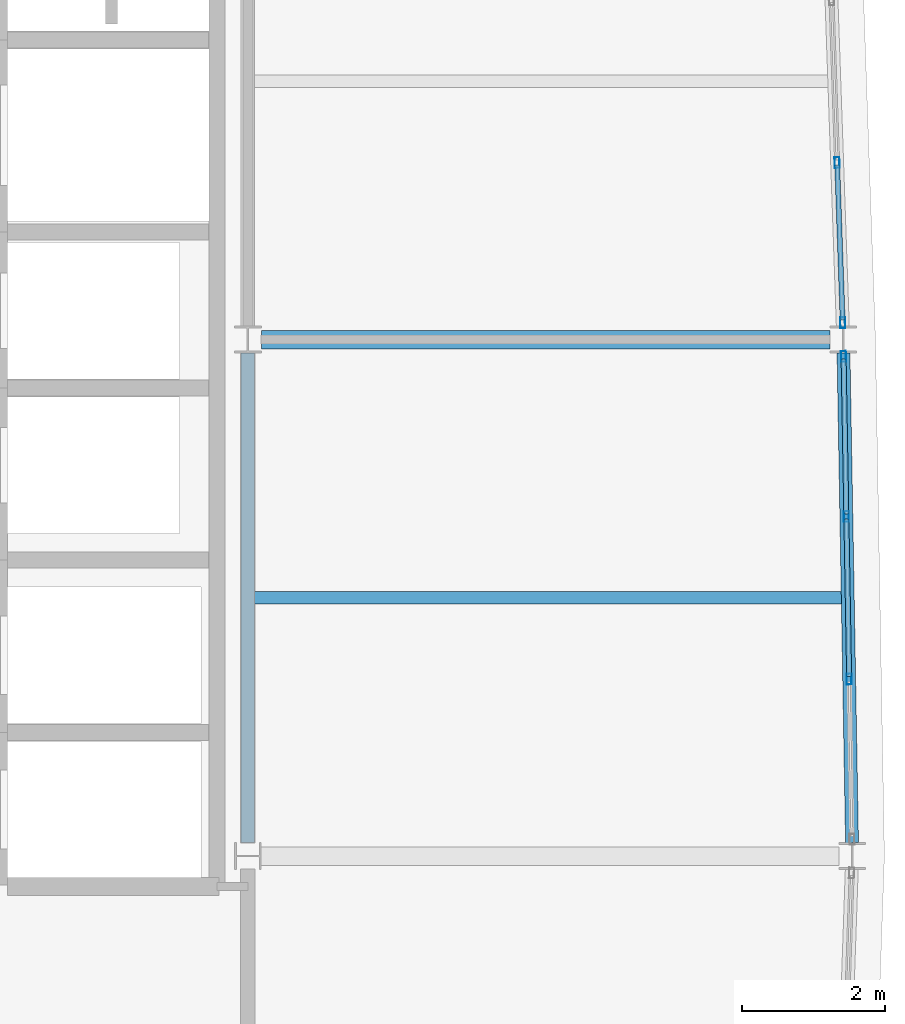
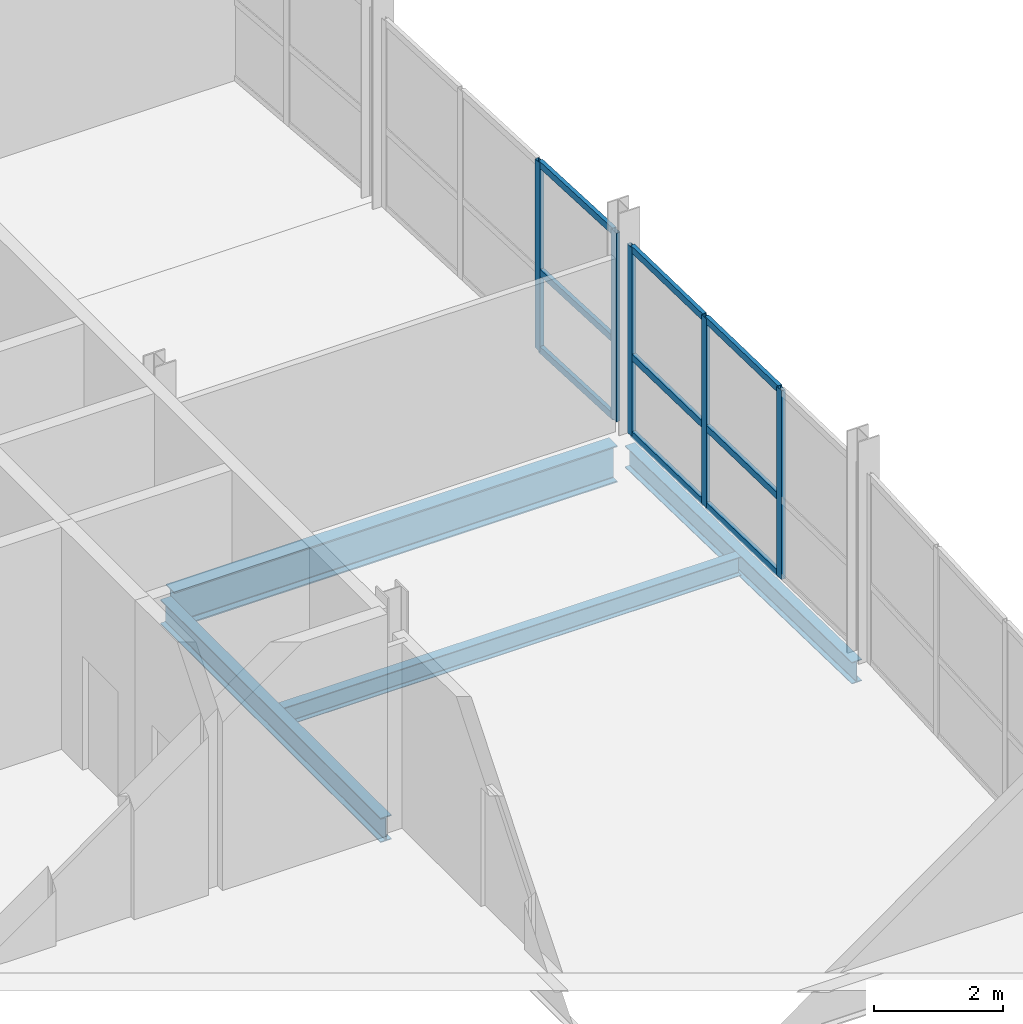
# One storey, part 6 of 20: 14 members, 4 beams, 2 elements without a shape of their own.
"""IFC4 building model written with IfcOpenShell, lengths in metres."""

from ifc_helpers import new_model, si_unit, direction, frame, origin, origin_2d, place, context, subcontext, project, spatial, hollow_rectangle, i_section, extrude, material, layer, layer_set, material_profile, profile_set, type_object, element, aggregate, save


model = new_model("IFC4")

# Units and contexts
model_context = context("Model", 3, precision=1e-05, world=origin(), true_north=direction((0.0, 1.0)))
body_context = subcontext(model_context, "Body", "Model", "MODEL_VIEW")
ifc_project = project(units=[si_unit("LENGTHUNIT", "METRE"), si_unit("AREAUNIT", "SQUARE_METRE"), si_unit("VOLUMEUNIT", "CUBIC_METRE"), si_unit("PLANEANGLEUNIT", "RADIAN"), si_unit("MASSUNIT", "GRAM", prefix="KILO")], contexts=[model_context])

# Site, building, storey
site_placement = place(None, origin())
site = spatial("IfcSite", under=ifc_project, at=site_placement, CompositionType="ELEMENT")
building_placement = place(site_placement, origin())
building = spatial("IfcBuilding", under=site, at=building_placement, Name="Quillay Park Conservatory", CompositionType="ELEMENT")
storey_placement = place(building_placement, frame((0.0, 0.0, 26.699951171875)))
storey = spatial("IfcBuildingStorey", under=building, at=storey_placement, Name="L06", CompositionType="ELEMENT", Elevation=26.699951171875)

# Beam
ifc_material_1 = material(Name="Steel ASTM A992 Grade 50", Category="steel")
ifc_material_profile_1 = material_profile(ifc_material_1, i_section(OverallWidth=0.172119140625, OverallDepth=0.35791015625, WebThickness=0.0078125, FlangeThickness=0.01318359375, FilletRadius=0.010986328125, at=origin_2d()), Name="W360x57")
ifc_profile_set_1 = profile_set([ifc_material_profile_1], Name="Steel ASTM A992 Grade 50")
beam_type_1 = type_object("IfcBeamType", Name="COMPOSITE FLOOR JOIST W360 X57", PredefinedType="JOIST", material=ifc_profile_set_1)
beam_1_placement = place(storey_placement, frame((19.845947265625, 88.800048828125, -0.39892578125), z_axis=(1.0, 0.0, 0.0), x_axis=(0.0, 1.0, 0.0)))
element("IfcBeam", 1, at=beam_1_placement, inside=storey, type_object=beam_type_1, Name="L06 beam BM-J-0495", PredefinedType="JOIST", context=body_context, shape_type="SweptSolid", body=[
    extrude(i_section(OverallWidth=0.172119140625, OverallDepth=0.35791015625, WebThickness=0.0078125, FlangeThickness=0.01318359375, FilletRadius=0.010986328125, at=origin_2d()), origin(), (0.0, 0.0, 1.0), 8.176513671875),
])

# Curtain wall, members
ifc_material_2 = material(Name="Thermally Broken Anodised Aluminium 6063-T6", Category="aluminium")
ifc_layer = layer(ifc_material_2, 0.199951171875)
ifc_layer_set = layer_set([ifc_layer], Name="UNITISED CURTAIN WALL HERBARIUM (Thermally Broken Anodised Aluminium 6063-T6)")
curtain_wall_type = type_object("IfcCurtainWallType", Name="UNITISED CURTAIN WALL HERBARIUM", PredefinedType="USERDEFINED", material=ifc_layer_set)
curtain_wall_1_placement = place(storey_placement, origin())
curtain_wall_1 = element("IfcCurtainWall", 2, at=curtain_wall_1_placement, inside=storey, type_object=curtain_wall_type, Name="L06 Unitised Curtain Wall 061", ObjectType="UNITISED CURTAIN WALL", PredefinedType="USERDEFINED")
ifc_material_3 = material(Name="Thermally Broken Anodised Aluminium 6063-T6", Category="aluminium")
ifc_material_profile_2 = material_profile(ifc_material_3, hollow_rectangle(XDim=0.070068359375, YDim=0.14990234375, WallThickness=0.00341796875, at=origin_2d()), Name="AL70x150x3.5")
ifc_profile_set_2 = profile_set([ifc_material_profile_2], Name="Thermally Broken Anodised Aluminium 6063-T6")
member_type_1 = type_object("IfcMemberType", Name="CURTAIN WALL MULLION 70 X150", PredefinedType="MULLION", material=ifc_profile_set_2)
member_1_placement = place(storey_placement, frame((28.05419921875, 92.1650390625, 0.0), z_axis=(0.0, 0.0, 1.0), x_axis=(0.999849471711, 0.017350329071, 0.0)))
member_1 = element("IfcMember", 3, at=member_1_placement, type_object=member_type_1, Name="CW-T2 mullion 1", PredefinedType="MULLION", context=body_context, shape_type="SweptSolid", body=[
    extrude(hollow_rectangle(XDim=0.070068359375, YDim=0.14990234375, WallThickness=0.00341796875, at=origin_2d()), origin(), (0.0, 0.0, 1.0), 3.569091796875),
])
member_2_placement = place(storey_placement, frame((28.0927734375, 89.933349609375, 0.0), z_axis=(0.0, 0.0, 1.0), x_axis=(0.999849471711, 0.017350329071, 0.0)))
member_2 = element("IfcMember", 4, at=member_2_placement, type_object=member_type_1, Name="CW-T2 mullion 2", PredefinedType="MULLION", context=body_context, shape_type="SweptSolid", body=[
    extrude(hollow_rectangle(XDim=0.070068359375, YDim=0.14990234375, WallThickness=0.00341796875, at=origin_2d()), origin(), (0.0, 0.0, 1.0), 3.569091796875),
])
member_3_placement = place(storey_placement, frame((28.132080078125, 87.666748046875, 0.0), z_axis=(0.0, 0.0, 1.0), x_axis=(0.999849471711, 0.017350329071, 0.0)))
member_3 = element("IfcMember", 5, at=member_3_placement, type_object=member_type_1, Name="CW-T2 mullion 3", PredefinedType="MULLION", context=body_context, shape_type="SweptSolid", body=[
    extrude(hollow_rectangle(XDim=0.070068359375, YDim=0.14990234375, WallThickness=0.00341796875, at=origin_2d()), origin(), (0.0, 0.0, 1.0), 3.569091796875),
])

curtain_wall_2_placement = place(storey_placement, origin())
curtain_wall_2 = element("IfcCurtainWall", 6, at=curtain_wall_2_placement, inside=storey, type_object=curtain_wall_type, Name="L06 Unitised Curtain Wall 062", ObjectType="UNITISED CURTAIN WALL", PredefinedType="USERDEFINED")
member_4_placement = place(storey_placement, frame((27.96435546875, 94.86669921875, 0.0), z_axis=(0.0, 0.0, 1.0), x_axis=(0.999397310446, 0.034713338537, 0.0)))
member_4 = element("IfcMember", 7, at=member_4_placement, type_object=member_type_1, Name="CW-T2 mullion 3", PredefinedType="MULLION", context=body_context, shape_type="SweptSolid", body=[
    extrude(hollow_rectangle(XDim=0.070068359375, YDim=0.14990234375, WallThickness=0.00341796875, at=origin_2d()), origin(), (0.0, 0.0, 1.0), 3.569091796875),
])
member_5_placement = place(storey_placement, frame((28.0419921875, 92.634765625, 0.0), z_axis=(0.0, 0.0, 1.0), x_axis=(0.999397310446, 0.034713338537, 0.0)))
member_5 = element("IfcMember", 8, at=member_5_placement, type_object=member_type_1, Name="CW-T2 mullion 4", PredefinedType="MULLION", context=body_context, shape_type="SweptSolid", body=[
    extrude(hollow_rectangle(XDim=0.070068359375, YDim=0.14990234375, WallThickness=0.00341796875, at=origin_2d()), origin(), (0.0, 0.0, 1.0), 3.569091796875),
])

# Member
ifc_material_4 = material(Name="Thermally Broken Anodised Aluminium 6063-T6", Category="aluminium")
ifc_material_profile_3 = material_profile(ifc_material_4, hollow_rectangle(XDim=0.070068359375, YDim=0.1298828125, WallThickness=0.003173828125, at=origin_2d()), Name="AL70x130x3.2")
ifc_profile_set_3 = profile_set([ifc_material_profile_3], Name="Thermally Broken Anodised Aluminium 6063-T6")
member_type_2 = type_object("IfcMemberType", Name="CURTAIN WALL TRANSOM 70 X130", PredefinedType="USERDEFINED", material=ifc_profile_set_3)
member_6_placement = place(storey_placement, frame((28.0546875, 92.130126953125, 0.03515625), z_axis=(0.017388674879, -0.999848805563, 0.0), x_axis=(0.999848805563, 0.017388674879, 0.0)))
member_6 = element("IfcMember", 9, at=member_6_placement, type_object=member_type_2, Name="CW-T2 transom 1.1", ObjectType="TRANSOM", PredefinedType="USERDEFINED", context=body_context, shape_type="SweptSolid", body=[
    extrude(hollow_rectangle(XDim=0.070068359375, YDim=0.1298828125, WallThickness=0.003173828125, at=origin_2d()), origin(), (0.0, 0.0, 1.0), 2.162109375),
])

member_7_placement = place(storey_placement, frame((28.0546875, 92.130126953125, 1.4990234375), z_axis=(0.017388674879, -0.999848805563, 0.0), x_axis=(0.999848805563, 0.017388674879, 0.0)))
member_7 = element("IfcMember", 10, at=member_7_placement, type_object=member_type_2, Name="CW-T2 transom 1.2", ObjectType="TRANSOM", PredefinedType="USERDEFINED", context=body_context, shape_type="SweptSolid", body=[
    extrude(hollow_rectangle(XDim=0.070068359375, YDim=0.1298828125, WallThickness=0.003173828125, at=origin_2d()), origin(), (0.0, 0.0, 1.0), 2.162109375),
])

member_8_placement = place(storey_placement, frame((28.0546875, 92.130126953125, 3.533935546875), z_axis=(0.017388674879, -0.999848805563, 0.0), x_axis=(0.999848805563, 0.017388674879, 0.0)))
member_8 = element("IfcMember", 11, at=member_8_placement, type_object=member_type_2, Name="CW-T2 transom 1.3", ObjectType="TRANSOM", PredefinedType="USERDEFINED", context=body_context, shape_type="SweptSolid", body=[
    extrude(hollow_rectangle(XDim=0.070068359375, YDim=0.1298828125, WallThickness=0.003173828125, at=origin_2d()), origin(), (0.0, 0.0, 1.0), 2.162109375),
])

member_9_placement = place(storey_placement, frame((28.093505859375, 89.8984375, 0.03515625), z_axis=(0.01733458104, -0.999849744862, 0.0), x_axis=(0.999849744862, 0.01733458104, 0.0)))
member_9 = element("IfcMember", 12, at=member_9_placement, type_object=member_type_2, Name="CW-T2 transom 2.1", ObjectType="TRANSOM", PredefinedType="USERDEFINED", context=body_context, shape_type="SweptSolid", body=[
    extrude(hollow_rectangle(XDim=0.070068359375, YDim=0.1298828125, WallThickness=0.003173828125, at=origin_2d()), origin(), (0.0, 0.0, 1.0), 2.197021484375),
])

member_10_placement = place(storey_placement, frame((28.093505859375, 89.8984375, 1.4990234375), z_axis=(0.01733458104, -0.999849744862, 0.0), x_axis=(0.999849744862, 0.01733458104, 0.0)))
member_10 = element("IfcMember", 13, at=member_10_placement, type_object=member_type_2, Name="CW-T2 transom 2.2", ObjectType="TRANSOM", PredefinedType="USERDEFINED", context=body_context, shape_type="SweptSolid", body=[
    extrude(hollow_rectangle(XDim=0.070068359375, YDim=0.1298828125, WallThickness=0.003173828125, at=origin_2d()), origin(), (0.0, 0.0, 1.0), 2.197021484375),
])

member_11_placement = place(storey_placement, frame((28.093505859375, 89.8984375, 3.533935546875), z_axis=(0.01733458104, -0.999849744862, 0.0), x_axis=(0.999849744862, 0.01733458104, 0.0)))
member_11 = element("IfcMember", 14, at=member_11_placement, type_object=member_type_2, Name="CW-T2 transom 2.3", ObjectType="TRANSOM", PredefinedType="USERDEFINED", context=body_context, shape_type="SweptSolid", body=[
    extrude(hollow_rectangle(XDim=0.070068359375, YDim=0.1298828125, WallThickness=0.003173828125, at=origin_2d()), origin(), (0.0, 0.0, 1.0), 2.197021484375),
])

aggregate(curtain_wall_1, [member_1, member_2, member_3, member_6, member_7, member_8, member_9, member_10, member_11])

member_12_placement = place(storey_placement, frame((27.965576171875, 94.83154296875, 0.03515625), z_axis=(0.034765508592, -0.999395496994, 0.0), x_axis=(0.999395496994, 0.034765508592, 0.0)))
member_12 = element("IfcMember", 15, at=member_12_placement, type_object=member_type_2, Name="CW-T2 transom 3.1", ObjectType="TRANSOM", PredefinedType="USERDEFINED", context=body_context, shape_type="SweptSolid", body=[
    extrude(hollow_rectangle(XDim=0.070068359375, YDim=0.1298828125, WallThickness=0.003173828125, at=origin_2d()), origin(), (0.0, 0.0, 1.0), 2.162841796875),
])

member_13_placement = place(storey_placement, frame((27.965576171875, 94.83154296875, 1.4990234375), z_axis=(0.034765508592, -0.999395496994, 0.0), x_axis=(0.999395496994, 0.034765508592, 0.0)))
member_13 = element("IfcMember", 16, at=member_13_placement, type_object=member_type_2, Name="CW-T2 transom 3.2", ObjectType="TRANSOM", PredefinedType="USERDEFINED", context=body_context, shape_type="SweptSolid", body=[
    extrude(hollow_rectangle(XDim=0.070068359375, YDim=0.1298828125, WallThickness=0.003173828125, at=origin_2d()), origin(), (0.0, 0.0, 1.0), 2.162841796875),
])

member_14_placement = place(storey_placement, frame((27.965576171875, 94.83154296875, 3.533935546875), z_axis=(0.034765508592, -0.999395496994, 0.0), x_axis=(0.999395496994, 0.034765508592, 0.0)))
member_14 = element("IfcMember", 17, at=member_14_placement, type_object=member_type_2, Name="CW-T2 transom 3.3", ObjectType="TRANSOM", PredefinedType="USERDEFINED", context=body_context, shape_type="SweptSolid", body=[
    extrude(hollow_rectangle(XDim=0.070068359375, YDim=0.1298828125, WallThickness=0.003173828125, at=origin_2d()), origin(), (0.0, 0.0, 1.0), 2.162841796875),
])

aggregate(curtain_wall_2, [member_4, member_5, member_12, member_13, member_14])

# Beams
ifc_material_5 = material(Name="Steel ASTM A992 Grade 50", Category="steel")
ifc_material_profile_4 = material_profile(ifc_material_5, i_section(OverallWidth=0.179931640625, OverallDepth=0.4130859375, WebThickness=0.009765625, FlangeThickness=0.01611328125, FilletRadius=0.011962890625, at=origin_2d()), Name="W410x74")
ifc_profile_set_4 = profile_set([ifc_material_profile_4], Name="Steel ASTM A992 Grade 50")
beam_type_2 = type_object("IfcBeamType", Name="PERIMETER SPANDREL BEAM W410 X74", PredefinedType="SPANDREL", material=ifc_profile_set_4)
beam_2_placement = place(storey_placement, frame((28.171875, 85.385986328125, -0.426513671875), z_axis=(-0.017374379301, 0.99984905408, 0.0), x_axis=(-0.99984905408, -0.017374379301, 0.0)))
element("IfcBeam", 18, at=beam_2_placement, inside=storey, type_object=beam_type_2, Name="L06 beam BM-SPE-0491", PredefinedType="SPANDREL", context=body_context, shape_type="SweptSolid", body=[
    extrude(i_section(OverallWidth=0.179931640625, OverallDepth=0.4130859375, WebThickness=0.009765625, FlangeThickness=0.01611328125, FilletRadius=0.011962890625, at=origin_2d()), origin(), (0.0, 0.0, 1.0), 6.8291015625),
])
ifc_material_6 = material(Name="Steel ASTM A992 Grade 50", Category="steel")
ifc_material_profile_5 = material_profile(ifc_material_6, i_section(OverallWidth=0.19189453125, OverallDepth=0.462890625, WebThickness=0.010498046875, FlangeThickness=0.017578125, FilletRadius=0.012939453125, at=origin_2d()), Name="W460x89")
ifc_profile_set_5 = profile_set([ifc_material_profile_5], Name="Steel ASTM A992 Grade 50")
beam_type_3 = type_object("IfcBeamType", Name="PRIMARY FLOOR GIRDER W460 X89", PredefinedType="BEAM", material=ifc_profile_set_5)
beam_3_placement = place(storey_placement, frame((19.75, 85.386962890625, -0.451416015625), z_axis=(0.0, 1.0, 0.0), x_axis=(-1.0, 0.0, 0.0)))
element("IfcBeam", 19, at=beam_3_placement, inside=storey, type_object=beam_type_3, Name="L06 beam BM-GNS-0493", PredefinedType="BEAM", context=body_context, shape_type="SweptSolid", body=[
    extrude(i_section(OverallWidth=0.19189453125, OverallDepth=0.462890625, WebThickness=0.010498046875, FlangeThickness=0.017578125, FilletRadius=0.012939453125, at=origin_2d()), origin(), (0.0, 0.0, 1.0), 6.8271484375),
])
ifc_material_7 = material(Name="Steel ASTM A992 Grade 50", Category="steel")
ifc_material_profile_6 = material_profile(ifc_material_7, i_section(OverallWidth=0.256103515625, OverallDepth=0.693115234375, WebThickness=0.014404296875, FlangeThickness=0.023681640625, FilletRadius=0.01611328125, at=origin_2d()), Name="W690x170")
ifc_profile_set_6 = profile_set([ifc_material_profile_6], Name="Steel ASTM A992 Grade 50")
beam_type_4 = type_object("IfcBeamType", Name="PRIMARY FLOOR GIRDER W690 X170", PredefinedType="BEAM", material=ifc_profile_set_6)
beam_4_placement = place(storey_placement, frame((19.93701171875, 92.39990234375, -0.56640625), z_axis=(1.0, 0.0, 0.0), x_axis=(0.0, 1.0, 0.0)))
element("IfcBeam", 20, at=beam_4_placement, inside=storey, type_object=beam_type_4, Name="L06 beam BM-HB-0460", PredefinedType="BEAM", context=body_context, shape_type="SweptSolid", body=[
    extrude(i_section(OverallWidth=0.256103515625, OverallDepth=0.693115234375, WebThickness=0.014404296875, FlangeThickness=0.023681640625, FilletRadius=0.01611328125, at=origin_2d()), origin(), (0.0, 0.0, 1.0), 7.926025390625),
])

save(model, "model.ifc")
